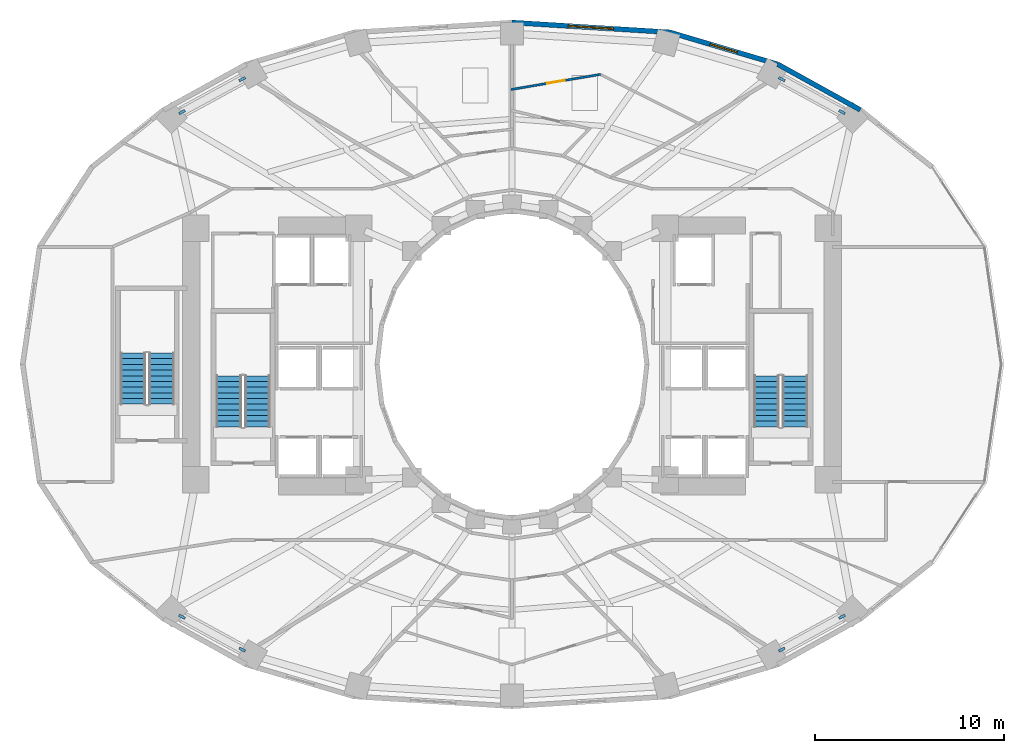
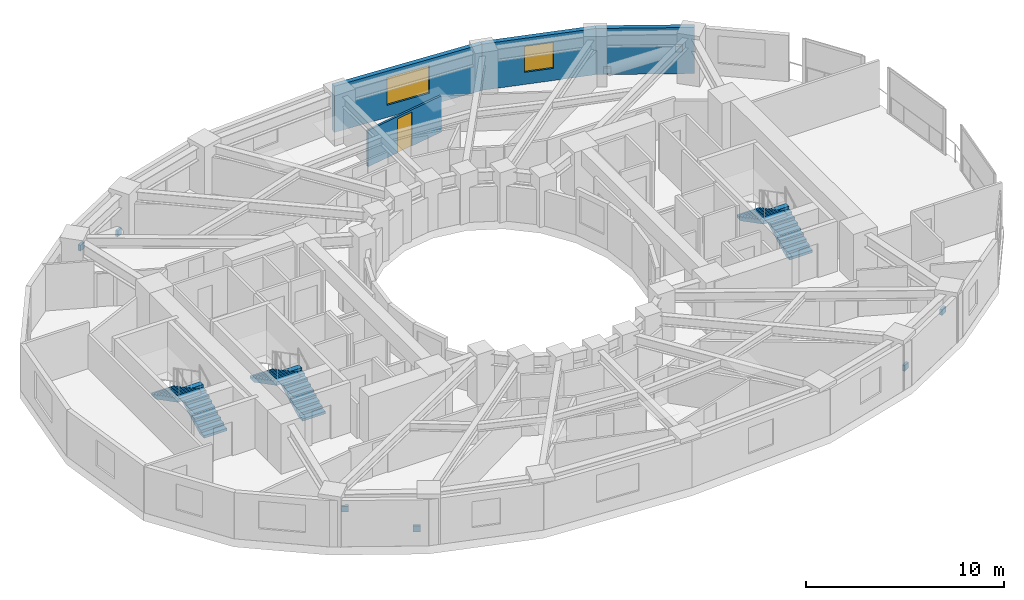
# One storey, part 11 of 15: 8 discrete accessories, 6 stair flights, 4 walls, 2 windows, 1 door, 3 openings, 3 elements without a shape of their own.
"""IFC4 building model written with IfcOpenShell, lengths in metres."""

from ifc_helpers import new_model, si_unit, direction, frame, frame_2d, origin, origin_2d, place, context, subcontext, project, spatial, polyline, rectangle, outline, extrude, material, layer, layer_set, type_object, element, fill, aggregate, save


model = new_model("IFC4")

# Units and contexts
model_context = context("Model", 3, precision=1e-05, world=origin(), true_north=direction((0.0, 1.0)))
body_context = subcontext(model_context, "Body", "Model", "MODEL_VIEW")
ifc_project = project(units=[si_unit("LENGTHUNIT", "METRE"), si_unit("AREAUNIT", "SQUARE_METRE"), si_unit("VOLUMEUNIT", "CUBIC_METRE"), si_unit("PLANEANGLEUNIT", "RADIAN"), si_unit("MASSUNIT", "GRAM", prefix="KILO")], contexts=[model_context])

# Site, building, storey
site_placement = place(None, origin())
site = spatial("IfcSite", under=ifc_project, at=site_placement, CompositionType="ELEMENT")
building_placement = place(site_placement, origin())
building = spatial("IfcBuilding", under=site, at=building_placement, Name="Solvane Sanctuary Tower", CompositionType="ELEMENT")
storey_placement = place(building_placement, frame((0.0, 0.0, 46.199951171875)))
storey = spatial("IfcBuildingStorey", under=building, at=storey_placement, Name="L13", CompositionType="ELEMENT", Elevation=46.199951171875)

# Wall
ifc_material_1 = material(Name="Precast concrete C40/50", Category="concrete")
ifc_layer_1 = layer(ifc_material_1, 0.260009765625, Name="Precast concrete C40/50")
ifc_layer_set_1 = layer_set([ifc_layer_1], Name="Precast concrete C40/50")
wall_type_1 = type_object("IfcWallType", Name="Wall W-EXT-250", PredefinedType="STANDARD", material=ifc_layer_set_1)
wall_1_placement = place(storey_placement, frame((50.404541015625, 36.449951171875, 0.0), z_axis=(0.0, 0.0, 1.0), x_axis=(-0.875137303239, 0.483874674352, 0.0)))
element("IfcWall", 1, at=wall_1_placement, inside=storey, type_object=wall_type_1, Name="L13 Ceramic-Printed Facade Wall 03", PredefinedType="STANDARD", context=body_context, shape_type="SweptSolid", body=[
    extrude(rectangle(XDim=4.985107421875, YDim=0.260009765625, at=frame_2d((2.49267578125, 0.0))), origin(), (0.0, 0.0, 1.0), 2.85009765625),
])

# Wall, opening, window
wall_2_placement = place(storey_placement, frame((46.0419921875, 38.862060546875, 0.0), z_axis=(0.0, 0.0, 1.0), x_axis=(-0.958843593522, 0.283934786811, 0.0)))
wall_2 = element("IfcWall", 2, at=wall_2_placement, inside=storey, type_object=wall_type_1, Name="L13 Ceramic-Printed Facade Wall 04", PredefinedType="STANDARD", context=body_context, shape_type="SweptSolid", body=[
    extrude(rectangle(XDim=5.955322265625, YDim=0.260009765625, at=frame_2d((2.9775390625, 0.0))), origin(), (0.0, 0.0, 1.0), 2.85009765625),
])
opening_1_placement = place(wall_2_placement, frame((2.227783203125, 0.0, 0.75)))
opening_1 = element("IfcOpeningElement", 3, at=opening_1_placement, cuts=wall_2, Name="Opening WN-OPER-1500", PredefinedType="OPENING", context=body_context, shape_type="SweptSolid", body=[
    extrude(rectangle(XDim=1.5, YDim=1.60009765625, at=frame_2d((0.75, 0.800048828125))), frame((0.0, 0.139892578125, 0.0), z_axis=(0.0, -1.0, 0.0), x_axis=(1.0, 0.0, 0.0)), (0.0, 0.0, 1.0), 0.280029296875),
])
ifc_material_2 = material(Name="Dark Ceramic-Fritted Low-E Glass", Category="glass")
window_type_1 = type_object("IfcWindowType", Name="Window WN-OPER-1500", PartitioningType="SINGLE_PANEL", PredefinedType="WINDOW", material=ifc_material_2)
window_1_placement = place(opening_1_placement, origin())
window_1 = element("IfcWindow", 4, at=window_1_placement, inside=storey, type_object=window_type_1, Name="L13 Operable Facade Window 04", OverallHeight=1.60009765625, OverallWidth=1.5, PartitioningType="SINGLE_PANEL", PredefinedType="WINDOW", context=body_context, shape_type="SweptSolid", body=[
    extrude(rectangle(XDim=1.5, YDim=1.60009765625, at=frame_2d((0.75, 0.800048828125))), frame((0.0, 0.030029296875, 0.0), z_axis=(0.0, -1.0, 0.0), x_axis=(1.0, 0.0, 0.0)), (0.0, 0.0, 1.0), 0.06005859375),
])
fill(opening_1, window_1)

wall_3_placement = place(storey_placement, frame((40.331787109375, 40.552978515625, 0.0), z_axis=(0.0, 0.0, 1.0), x_axis=(-0.998090514779, 0.061768311519, 0.0)))
wall_3 = element("IfcWall", 5, at=wall_3_placement, inside=storey, type_object=wall_type_1, Name="L13 Ceramic-Printed Facade Wall 05", PredefinedType="STANDARD", context=body_context, shape_type="SweptSolid", body=[
    extrude(rectangle(XDim=8.34765625, YDim=0.260009765625, at=frame_2d((4.173828125, 0.0))), origin(), (0.0, 0.0, 1.0), 2.85009765625),
])
opening_2_placement = place(wall_3_placement, frame((2.973876953125, 0.0, 0.75)))
opening_2 = element("IfcOpeningElement", 6, at=opening_2_placement, cuts=wall_3, Name="Opening WN-RIB-2400", PredefinedType="OPENING", context=body_context, shape_type="SweptSolid", body=[
    extrude(rectangle(XDim=2.39990234375, YDim=1.699951171875, at=frame_2d((1.199951171875, 0.85009765625))), frame((0.0, 0.139892578125, 0.0), z_axis=(0.0, -1.0, 0.0), x_axis=(1.0, 0.0, 0.0)), (0.0, 0.0, 1.0), 0.280029296875),
])
window_type_2 = type_object("IfcWindowType", Name="Window WN-RIB-2400", PartitioningType="SINGLE_PANEL", PredefinedType="WINDOW", material=ifc_material_2)
window_2_placement = place(opening_2_placement, origin())
window_2 = element("IfcWindow", 7, at=window_2_placement, inside=storey, type_object=window_type_2, Name="L13 Operable Facade Window 05", OverallHeight=1.699951171875, OverallWidth=2.39990234375, PartitioningType="SINGLE_PANEL", PredefinedType="WINDOW", context=body_context, shape_type="SweptSolid", body=[
    extrude(rectangle(XDim=2.39990234375, YDim=1.699951171875, at=frame_2d((1.199951171875, 0.85009765625))), frame((0.0, 0.030029296875, 0.0), z_axis=(0.0, -1.0, 0.0), x_axis=(1.0, 0.0, 0.0)), (0.0, 0.0, 1.0), 0.06005859375),
])
fill(opening_2, window_2)

# Wall, opening, door
ifc_material_3 = material(Name="Acoustic Gypsum Partition Board")
ifc_layer_2 = layer(ifc_material_3, 0.1201171875, Name="Acoustic Gypsum Partition Board")
ifc_layer_set_2 = layer_set([ifc_layer_2], Name="Acoustic Gypsum Partition Board")
wall_type_2 = type_object("IfcWallType", Name="Wall W-MOV-100", PredefinedType="MOVABLE", material=ifc_layer_set_2)
wall_4_placement = place(storey_placement, frame((36.683837890625, 38.327880859375, 0.0), z_axis=(0.0, 0.0, 1.0), x_axis=(-0.985971487104, -0.166913829921, 0.0)))
wall_4 = element("IfcWall", 8, at=wall_4_placement, inside=storey, type_object=wall_type_2, Name="L13 Suite Sitting Lounge Partition N1", PredefinedType="MOVABLE", context=body_context, shape_type="SweptSolid", body=[
    extrude(rectangle(XDim=4.800537109375, YDim=0.1201171875, at=frame_2d((2.400390625, 0.0))), origin(), (0.0, 0.0, 1.0), 2.237060546875),
])
opening_3_placement = place(wall_4_placement, frame((1.92529296875, 0.0, 0.0)))
opening_3 = element("IfcOpeningElement", 9, at=opening_3_placement, cuts=wall_4, Name="Opening D-L13-16", PredefinedType="OPENING", context=body_context, shape_type="SweptSolid", body=[
    extrude(rectangle(XDim=0.949951171875, YDim=2.10009765625, at=frame_2d((0.47509765625, 1.050048828125))), frame((0.0, 0.070068359375, 0.0), z_axis=(0.0, -1.0, 0.0), x_axis=(1.0, 0.0, 0.0)), (0.0, 0.0, 1.0), 0.14013671875),
])
ifc_material_4 = material(Name="Engineered Tropical Hardwood", Category="wood")
door_type = type_object("IfcDoorType", Name="Door D-ROOM-950", OperationType="NOTDEFINED", PredefinedType="DOOR", material=ifc_material_4)
door_placement = place(opening_3_placement, origin())
door = element("IfcDoor", 10, at=door_placement, inside=storey, type_object=door_type, Name="L13 Suite Sitting Lounge Door N1", OperationType="SINGLE_SWING_LEFT", OverallHeight=2.10009765625, OverallWidth=0.949951171875, PredefinedType="DOOR", context=body_context, shape_type="SweptSolid", body=[
    extrude(rectangle(XDim=0.949951171875, YDim=2.10009765625, at=frame_2d((0.47509765625, 1.050048828125))), frame((0.0, 0.02490234375, 0.0), z_axis=(0.0, -1.0, 0.0), x_axis=(1.0, 0.0, 0.0)), (0.0, 0.0, 1.0), 0.050048828125),
])
fill(opening_3, door)

# Stair, stair flights
ifc_material_5 = material(Name="Concrete C45/55", Category="concrete")
stair_type = type_object("IfcStairType", Name="Stair ST-TOW", PredefinedType="HALF_TURN_STAIR", material=ifc_material_5)
stair_1_placement = place(storey_placement, origin())
stair_1 = element("IfcStair", 11, at=stair_1_placement, inside=storey, type_object=stair_type, Name="L13 Exit Stair ST-1 West Core", PredefinedType="HALF_TURN_STAIR")
stair_flight_type = type_object("IfcStairFlightType", Name="StairFlight SF-TOW", PredefinedType="STRAIGHT", material=ifc_material_5)
stair_flight_1_placement = place(storey_placement, frame((18.544921875, 19.699951171875, 0.0), z_axis=(0.0, 0.0, 1.0), x_axis=(0.0, 1.0, 0.0)))
stair_flight_1 = element("IfcStairFlight", 12, at=stair_flight_1_placement, type_object=stair_flight_type, Name="ST-1 flight 1", NumberOfRisers=10, NumberOfTreads=9, PredefinedType="STRAIGHT", RiserHeight=0.155, TreadLength=0.3, context=body_context, shape_type="SweptSolid", body=[
    extrude(outline(polyline([(0.0, 0.0), (0.0, 0.155029296875), (0.300048828125, 0.155029296875), (0.300048828125, 0.31005859375), (0.60009765625, 0.31005859375), (0.60009765625, 0.465087890625), (0.89990234375, 0.465087890625), (0.89990234375, 0.6201171875), (1.199951171875, 0.6201171875), (1.199951171875, 0.77490234375), (1.5, 0.77490234375), (1.5, 0.929931640625), (1.800048828125, 0.929931640625), (1.800048828125, 1.0849609375), (2.10009765625, 1.0849609375), (2.10009765625, 1.239990234375), (2.39990234375, 1.239990234375), (2.39990234375, 1.39501953125), (2.699951171875, 1.39501953125), (2.699951171875, 1.550048828125), (2.699951171875, 1.1923828125), (0.39208984375, 0.0), (0.0, 0.0)])), frame((0.0, 0.675048828125, 0.0), z_axis=(0.0, -1.0, 0.0), x_axis=(1.0, 0.0, 0.0)), (0.0, 0.0, 1.0), 1.35009765625),
])
stair_flight_2_placement = place(storey_placement, frame((17.034912109375, 22.39990234375, 1.550048828125), z_axis=(0.0, 0.0, 1.0), x_axis=(0.0, -1.0, 0.0)))
stair_flight_2 = element("IfcStairFlight", 13, at=stair_flight_2_placement, type_object=stair_flight_type, Name="ST-1 flight 2", NumberOfRisers=10, NumberOfTreads=9, PredefinedType="STRAIGHT", RiserHeight=0.155, TreadLength=0.3, context=body_context, shape_type="SweptSolid", body=[
    extrude(outline(polyline([(0.0, 0.0), (0.0, 0.155029296875), (0.300048828125, 0.155029296875), (0.300048828125, 0.31005859375), (0.60009765625, 0.31005859375), (0.60009765625, 0.465087890625), (0.89990234375, 0.465087890625), (0.89990234375, 0.6201171875), (1.199951171875, 0.6201171875), (1.199951171875, 0.77490234375), (1.5, 0.77490234375), (1.5, 0.929931640625), (1.800048828125, 0.929931640625), (1.800048828125, 1.0849609375), (2.10009765625, 1.0849609375), (2.10009765625, 1.239990234375), (2.39990234375, 1.239990234375), (2.39990234375, 1.39501953125), (2.699951171875, 1.39501953125), (2.699951171875, 1.550048828125), (2.699951171875, 1.1923828125), (0.39208984375, 0.0), (0.0, 0.0)])), frame((0.0, 0.675048828125, 0.0), z_axis=(0.0, -1.0, 0.0), x_axis=(1.0, 0.0, 0.0)), (0.0, 0.0, 1.0), 1.35009765625),
])
aggregate(stair_1, [stair_flight_1, stair_flight_2])

stair_2_placement = place(storey_placement, origin())
stair_2 = element("IfcStair", 14, at=stair_2_placement, inside=storey, type_object=stair_type, Name="L13 Exit Stair ST-2 East Core", PredefinedType="HALF_TURN_STAIR")
stair_flight_3_placement = place(storey_placement, frame((46.965087890625, 19.699951171875, 0.0), z_axis=(0.0, 0.0, 1.0), x_axis=(0.0, 1.0, 0.0)))
stair_flight_3 = element("IfcStairFlight", 15, at=stair_flight_3_placement, type_object=stair_flight_type, Name="ST-2 flight 1", NumberOfRisers=10, NumberOfTreads=9, PredefinedType="STRAIGHT", RiserHeight=0.155, TreadLength=0.3, context=body_context, shape_type="SweptSolid", body=[
    extrude(outline(polyline([(0.0, 0.0), (0.0, 0.155029296875), (0.300048828125, 0.155029296875), (0.300048828125, 0.31005859375), (0.60009765625, 0.31005859375), (0.60009765625, 0.465087890625), (0.89990234375, 0.465087890625), (0.89990234375, 0.6201171875), (1.199951171875, 0.6201171875), (1.199951171875, 0.77490234375), (1.5, 0.77490234375), (1.5, 0.929931640625), (1.800048828125, 0.929931640625), (1.800048828125, 1.0849609375), (2.10009765625, 1.0849609375), (2.10009765625, 1.239990234375), (2.39990234375, 1.239990234375), (2.39990234375, 1.39501953125), (2.699951171875, 1.39501953125), (2.699951171875, 1.550048828125), (2.699951171875, 1.1923828125), (0.39208984375, 0.0), (0.0, 0.0)])), frame((0.0, 0.675048828125, 0.0), z_axis=(0.0, -1.0, 0.0), x_axis=(1.0, 0.0, 0.0)), (0.0, 0.0, 1.0), 1.35009765625),
])
stair_flight_4_placement = place(storey_placement, frame((45.455078125, 22.39990234375, 1.550048828125), z_axis=(0.0, 0.0, 1.0), x_axis=(0.0, -1.0, 0.0)))
stair_flight_4 = element("IfcStairFlight", 16, at=stair_flight_4_placement, type_object=stair_flight_type, Name="ST-2 flight 2", NumberOfRisers=10, NumberOfTreads=9, PredefinedType="STRAIGHT", RiserHeight=0.155, TreadLength=0.3, context=body_context, shape_type="SweptSolid", body=[
    extrude(outline(polyline([(0.0, 0.0), (0.0, 0.155029296875), (0.300048828125, 0.155029296875), (0.300048828125, 0.31005859375), (0.60009765625, 0.31005859375), (0.60009765625, 0.465087890625), (0.89990234375, 0.465087890625), (0.89990234375, 0.6201171875), (1.199951171875, 0.6201171875), (1.199951171875, 0.77490234375), (1.5, 0.77490234375), (1.5, 0.929931640625), (1.800048828125, 0.929931640625), (1.800048828125, 1.0849609375), (2.10009765625, 1.0849609375), (2.10009765625, 1.239990234375), (2.39990234375, 1.239990234375), (2.39990234375, 1.39501953125), (2.699951171875, 1.39501953125), (2.699951171875, 1.550048828125), (2.699951171875, 1.1923828125), (0.39208984375, 0.0), (0.0, 0.0)])), frame((0.0, 0.675048828125, 0.0), z_axis=(0.0, -1.0, 0.0), x_axis=(1.0, 0.0, 0.0)), (0.0, 0.0, 1.0), 1.35009765625),
])
aggregate(stair_2, [stair_flight_3, stair_flight_4])

stair_3_placement = place(storey_placement, origin())
stair_3 = element("IfcStair", 17, at=stair_3_placement, inside=storey, type_object=stair_type, Name="L13 Exit Stair ST-3 Pilgrim Tower Stair", PredefinedType="HALF_TURN_STAIR")
stair_flight_5_placement = place(storey_placement, frame((13.485107421875, 20.89990234375, 0.0), z_axis=(0.0, 0.0, 1.0), x_axis=(0.0, 1.0, 0.0)))
stair_flight_5 = element("IfcStairFlight", 18, at=stair_flight_5_placement, type_object=stair_flight_type, Name="ST-3 flight 1", NumberOfRisers=10, NumberOfTreads=9, PredefinedType="STRAIGHT", RiserHeight=0.155, TreadLength=0.3, context=body_context, shape_type="SweptSolid", body=[
    extrude(outline(polyline([(0.0, 0.0), (0.0, 0.155029296875), (0.300048828125, 0.155029296875), (0.300048828125, 0.31005859375), (0.60009765625, 0.31005859375), (0.60009765625, 0.465087890625), (0.89990234375, 0.465087890625), (0.89990234375, 0.6201171875), (1.199951171875, 0.6201171875), (1.199951171875, 0.77490234375), (1.5, 0.77490234375), (1.5, 0.929931640625), (1.800048828125, 0.929931640625), (1.800048828125, 1.0849609375), (2.10009765625, 1.0849609375), (2.10009765625, 1.239990234375), (2.39990234375, 1.239990234375), (2.39990234375, 1.39501953125), (2.699951171875, 1.39501953125), (2.699951171875, 1.550048828125), (2.699951171875, 1.1923828125), (0.39208984375, 0.0), (0.0, 0.0)])), frame((0.0, 0.675048828125, 0.0), z_axis=(0.0, -1.0, 0.0), x_axis=(1.0, 0.0, 0.0)), (0.0, 0.0, 1.0), 1.35009765625),
])
stair_flight_6_placement = place(storey_placement, frame((11.97509765625, 23.60009765625, 1.550048828125), z_axis=(0.0, 0.0, 1.0), x_axis=(0.0, -1.0, 0.0)))
stair_flight_6 = element("IfcStairFlight", 19, at=stair_flight_6_placement, type_object=stair_flight_type, Name="ST-3 flight 2", NumberOfRisers=10, NumberOfTreads=9, PredefinedType="STRAIGHT", RiserHeight=0.155, TreadLength=0.3, context=body_context, shape_type="SweptSolid", body=[
    extrude(outline(polyline([(0.0, 0.0), (0.0, 0.155029296875), (0.300048828125, 0.155029296875), (0.300048828125, 0.31005859375), (0.60009765625, 0.31005859375), (0.60009765625, 0.465087890625), (0.89990234375, 0.465087890625), (0.89990234375, 0.6201171875), (1.199951171875, 0.6201171875), (1.199951171875, 0.77490234375), (1.5, 0.77490234375), (1.5, 0.929931640625), (1.800048828125, 0.929931640625), (1.800048828125, 1.0849609375), (2.10009765625, 1.0849609375), (2.10009765625, 1.239990234375), (2.39990234375, 1.239990234375), (2.39990234375, 1.39501953125), (2.699951171875, 1.39501953125), (2.699951171875, 1.550048828125), (2.699951171875, 1.1923828125), (0.39208984375, 0.0), (0.0, 0.0)])), frame((0.0, 0.675048828125, 0.0), z_axis=(0.0, -1.0, 0.0), x_axis=(1.0, 0.0, 0.0)), (0.0, 0.0, 1.0), 1.35009765625),
])
aggregate(stair_3, [stair_flight_5, stair_flight_6])

# Discrete accessories
ifc_material_6 = material(Name="Steel ASTM A572 Grade 50", Category="steel")
ifc_layer_3 = layer(ifc_material_6, 0.360107421875, Name="Steel ASTM A572 Grade 50")
ifc_layer_set_3 = layer_set([ifc_layer_3], Name="Steel ASTM A572 Grade 50")
discrete_accessory_type = type_object("IfcDiscreteAccessoryType", Name="Accessory ACC-GUSSET-BRK", PredefinedType="BRACKET", material=ifc_layer_set_3)
for number, where, z_axis, x_axis, name in (
    (20, (46.25830078125, 38.070068359375, 0.4140625), (0.0, 0.0, 1.0), (0.878066509545, -0.478538613714, 0.0), "L13 Perimeter Braced-Tube Diagonal NE End Gusset Bracket A"),
    (21, (49.438232421875, 36.3369140625, 1.69580078125), (0.0, 0.0, 1.0), (0.878066509545, -0.478538613714, 0.0), "L13 Perimeter Braced-Tube Diagonal NE End Gusset Bracket B"),
    (22, (17.74169921875, 38.070068359375, 0.4140625), (0.0, 0.0, 1.0), (-0.878066509545, -0.478538613714, 0.0), "L13 Perimeter Braced-Tube Diagonal NW End Gusset Bracket A"),
    (23, (14.561767578125, 36.3369140625, 1.69580078125), (0.0, 0.0, 1.0), (-0.878066509545, -0.478538613714, 0.0), "L13 Perimeter Braced-Tube Diagonal NW End Gusset Bracket B"),
    (24, (17.74169921875, 7.929931640625, 0.4140625), (0.0, 0.0, 1.0), (-0.878066509545, 0.478538613714, 0.0), "L13 Perimeter Braced-Tube Diagonal SW End Gusset Bracket A"),
    (25, (14.561767578125, 9.6630859375, 1.69580078125), (0.0, 0.0, 1.0), (-0.878066509545, 0.478538613714, 0.0), "L13 Perimeter Braced-Tube Diagonal SW End Gusset Bracket B"),
    (26, (46.25830078125, 7.929931640625, 0.4140625), (0.0, 0.0, 1.0), (0.878066509545, 0.478538613714, 0.0), "L13 Perimeter Braced-Tube Diagonal SE End Gusset Bracket A"),
    (27, (49.438232421875, 9.6630859375, 1.69580078125), (0.0, 0.0, 1.0), (0.878066509545, 0.478538613714, 0.0), "L13 Perimeter Braced-Tube Diagonal SE End Gusset Bracket B"),
):
    element("IfcDiscreteAccessory", number, at=place(storey_placement, frame(where, z_axis=z_axis, x_axis=x_axis)), inside=storey, type_object=discrete_accessory_type, Name=name, PredefinedType="BRACKET", context=body_context, shape_type="SweptSolid", body=[
        extrude(rectangle(XDim=0.360107421875, YDim=0.139892578125, at=origin_2d()), origin(), (0.0, 0.0, 1.0), 0.360107421875),
    ])

save(model, "model.ifc")
